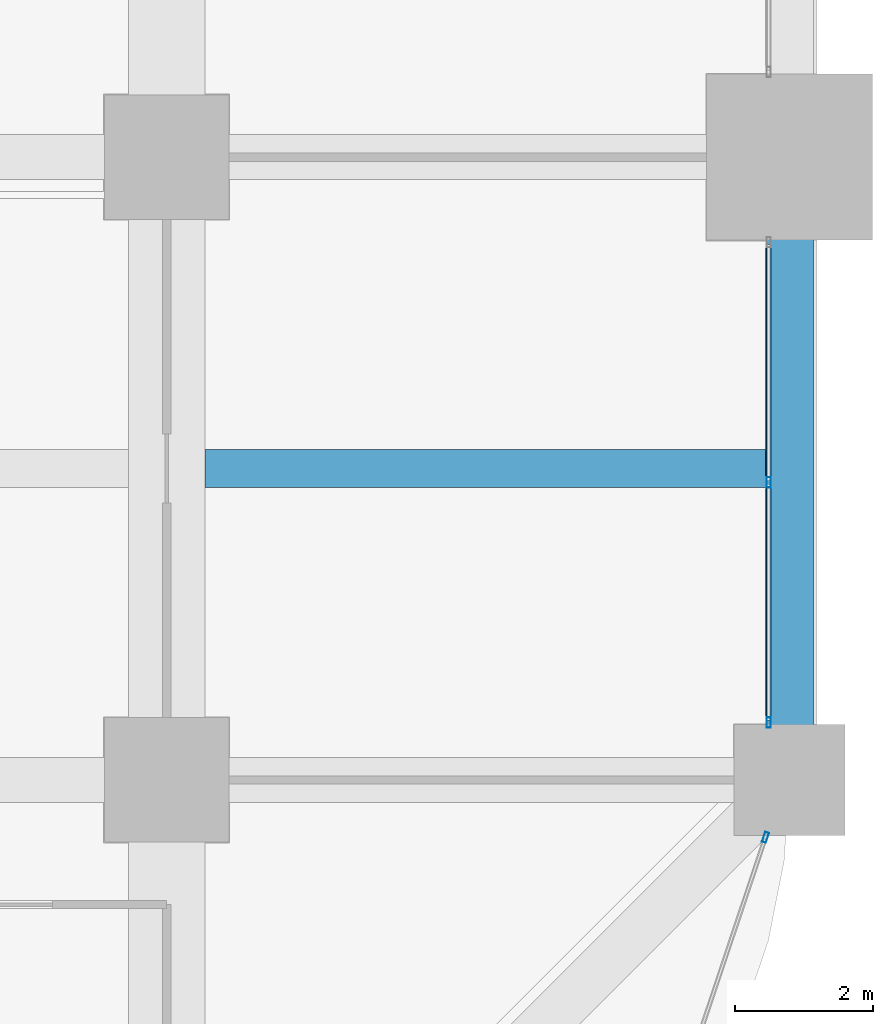
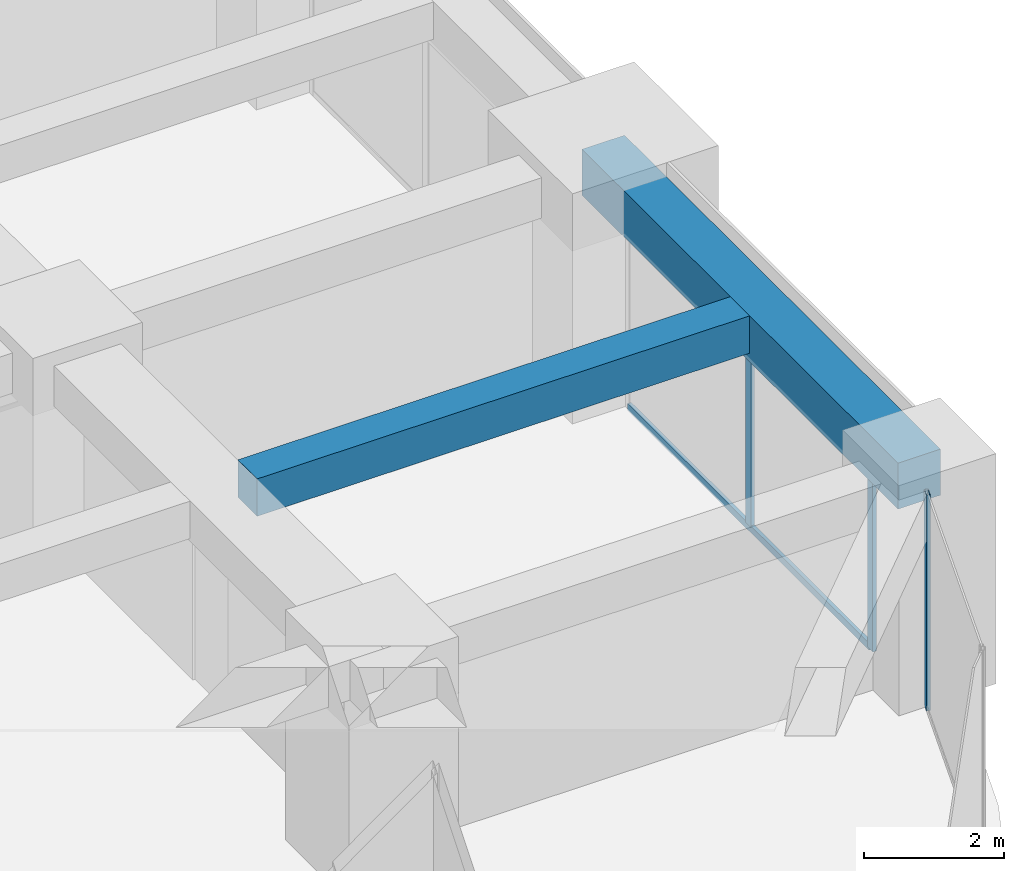
# One storey, part 19 of 41: 4 members, 2 beams, 2 elements without a shape of their own.
"""IFC4 building model written with IfcOpenShell, lengths in metres."""

from ifc_helpers import new_model, si_unit, direction, frame, origin, origin_2d, place, context, subcontext, project, spatial, rectangle, hollow_rectangle, extrude, material, material_profile, profile_set, type_object, element, aggregate, save


model = new_model("IFC4")

# Units and contexts
model_context = context("Model", 3, precision=1e-05, world=origin(), true_north=direction((0.0, 1.0)))
body_context = subcontext(model_context, "Body", "Model", "MODEL_VIEW")
ifc_project = project(units=[si_unit("LENGTHUNIT", "METRE"), si_unit("AREAUNIT", "SQUARE_METRE"), si_unit("VOLUMEUNIT", "CUBIC_METRE"), si_unit("PLANEANGLEUNIT", "RADIAN"), si_unit("MASSUNIT", "GRAM", prefix="KILO")], contexts=[model_context])

# Site, building, storey
site_placement = place(None, origin())
site = spatial("IfcSite", under=ifc_project, at=site_placement, CompositionType="ELEMENT")
building_placement = place(site_placement, origin())
building = spatial("IfcBuilding", under=site, at=building_placement, Name="Zorevar Civic Tower", CompositionType="ELEMENT")
storey_placement = place(building_placement, frame((0.0, 0.0, 137.0)))
storey = spatial("IfcBuildingStorey", under=building, at=storey_placement, Name="L33", CompositionType="ELEMENT", Elevation=137.0)

# Beam
ifc_material_1 = material(Name="Concrete C50/60", Category="concrete")
ifc_material_profile_1 = material_profile(ifc_material_1, rectangle(XDim=0.550048828125, YDim=0.64990234375, at=origin_2d()), Name="RC 550x650")
ifc_profile_set_1 = profile_set([ifc_material_profile_1], Name="Concrete C50/60")
beam_type_1 = type_object("IfcBeamType", Name="Beam RC 550x650", PredefinedType="BEAM", material=ifc_profile_set_1)
beam_1_placement = place(storey_placement, frame((54.550048828125, 13.5, 3.425048828125), z_axis=(1.0, 0.0, 0.0), x_axis=(0.0, 1.0, 0.0)))
element("IfcBeam", 1, at=beam_1_placement, inside=storey, type_object=beam_type_1, Name="Secondary beam L34", PredefinedType="BEAM", context=body_context, shape_type="SweptSolid", body=[
    extrude(rectangle(XDim=0.550048828125, YDim=0.64990234375, at=origin_2d()), origin(), (0.0, 0.0, 1.0), 8.099853515625),
])

# Curtain wall, members
ifc_material_2 = material(Name="Dark grey solar-control glass in black aluminium frame", Category="aluminium")
curtain_wall_type = type_object("IfcCurtainWallType", Name="Curtain wall CW3 mid zone", PredefinedType="NOTDEFINED", material=ifc_material_2)
curtain_wall_1_placement = place(storey_placement, origin())
curtain_wall_1 = element("IfcCurtainWall", 2, at=curtain_wall_1_placement, inside=storey, type_object=curtain_wall_type, Name="CW3 L33", PredefinedType="NOTDEFINED")
ifc_material_3 = material(Name="Aluminium, black anodised", Category="aluminium")
ifc_material_profile_2 = material_profile(ifc_material_3, hollow_rectangle(XDim=0.06005859375, YDim=0.14990234375, WallThickness=0.00390625, at=origin_2d()), Name="AL 150x60x4")
ifc_profile_set_2 = profile_set([ifc_material_profile_2], Name="Aluminium, black anodised")
member_type_1 = type_object("IfcMemberType", Name="CW3 mullion AL 150x60x4", PredefinedType="MULLION", material=ifc_profile_set_2)
member_1_placement = place(storey_placement, frame((62.699951171875, 9.830078125, 0.0), z_axis=(0.0, 0.0, 1.0), x_axis=(-1.0, 0.0, 0.0)))
member_1 = element("IfcMember", 3, at=member_1_placement, type_object=member_type_1, Name="CW3 mullion 1", PredefinedType="MULLION", context=body_context, shape_type="SweptSolid", body=[
    extrude(hollow_rectangle(XDim=0.06005859375, YDim=0.14990234375, WallThickness=0.00390625, at=origin_2d()), origin(), (0.0, 0.0, 1.0), 2.949951171875),
])
member_2_placement = place(storey_placement, frame((62.699951171875, 13.300048828125, 0.06005859375), z_axis=(0.0, 0.0, 1.0), x_axis=(-1.0, 0.0, 0.0)))
member_2 = element("IfcMember", 4, at=member_2_placement, type_object=member_type_1, Name="CW3 mullion 2", PredefinedType="MULLION", context=body_context, shape_type="SweptSolid", body=[
    extrude(hollow_rectangle(XDim=0.06005859375, YDim=0.14990234375, WallThickness=0.00390625, at=origin_2d()), origin(), (0.0, 0.0, 1.0), 2.889892578125),
])

# Curtain wall, member
curtain_wall_2_placement = place(storey_placement, origin())
curtain_wall_2 = element("IfcCurtainWall", 5, at=curtain_wall_2_placement, inside=storey, type_object=curtain_wall_type, Name="CW3 L33", PredefinedType="NOTDEFINED")
member_3_placement = place(storey_placement, frame((62.653564453125, 8.171630859375, 0.0), z_axis=(0.0, 0.0, 1.0), x_axis=(-0.948227238701, 0.317592669603, 0.0)))
member_3 = element("IfcMember", 6, at=member_3_placement, type_object=member_type_1, Name="CW3 mullion 2", PredefinedType="MULLION", context=body_context, shape_type="SweptSolid", body=[
    extrude(hollow_rectangle(XDim=0.06005859375, YDim=0.14990234375, WallThickness=0.00390625, at=origin_2d()), origin(), (0.0, 0.0, 1.0), 3.75),
])
aggregate(curtain_wall_2, [member_3])

# Member
ifc_material_4 = material(Name="Aluminium, black anodised", Category="aluminium")
ifc_material_profile_3 = material_profile(ifc_material_4, hollow_rectangle(XDim=0.06005859375, YDim=0.1201171875, WallThickness=0.0029296875, at=origin_2d()), Name="AL 120x60x3")
ifc_profile_set_3 = profile_set([ifc_material_profile_3], Name="Aluminium, black anodised")
member_type_2 = type_object("IfcMemberType", Name="CW3 transom AL 120x60x3", PredefinedType="USERDEFINED", material=ifc_profile_set_3)
member_4_placement = place(storey_placement, frame((62.699951171875, 9.860107421875, 0.030029296875), z_axis=(0.0, 1.0, 0.0), x_axis=(-1.0, 0.0, 0.0)))
member_4 = element("IfcMember", 7, at=member_4_placement, type_object=member_type_2, Name="CW3 sill transom", ObjectType="TRANSOM", PredefinedType="USERDEFINED", context=body_context, shape_type="SweptSolid", body=[
    extrude(hollow_rectangle(XDim=0.06005859375, YDim=0.1201171875, WallThickness=0.0029296875, at=origin_2d()), origin(), (0.0, 0.0, 1.0), 6.8798828125),
])

aggregate(curtain_wall_1, [member_1, member_2, member_4])

# Beam
ifc_material_5 = material(Name="Concrete C50/60", Category="concrete")
ifc_material_profile_4 = material_profile(ifc_material_5, rectangle(XDim=0.699951171875, YDim=0.800048828125, at=origin_2d()), Name="RC 700x800")
ifc_profile_set_4 = profile_set([ifc_material_profile_4], Name="Concrete C50/60")
beam_type_2 = type_object("IfcBeamType", Name="Edge beam RC 700x800", PredefinedType="SPANDREL", material=ifc_profile_set_4)
beam_2_placement = place(storey_placement, frame((63.0, 9.0, 3.35009765625), z_axis=(0.0, 1.0, 0.0), x_axis=(-1.0, 0.0, 0.0)))
element("IfcBeam", 8, at=beam_2_placement, inside=storey, type_object=beam_type_2, Name="Edge beam L34", PredefinedType="SPANDREL", context=body_context, shape_type="SweptSolid", body=[
    extrude(rectangle(XDim=0.699951171875, YDim=0.800048828125, at=origin_2d()), origin(), (0.0, 0.0, 1.0), 9.0),
])

save(model, "model.ifc")
